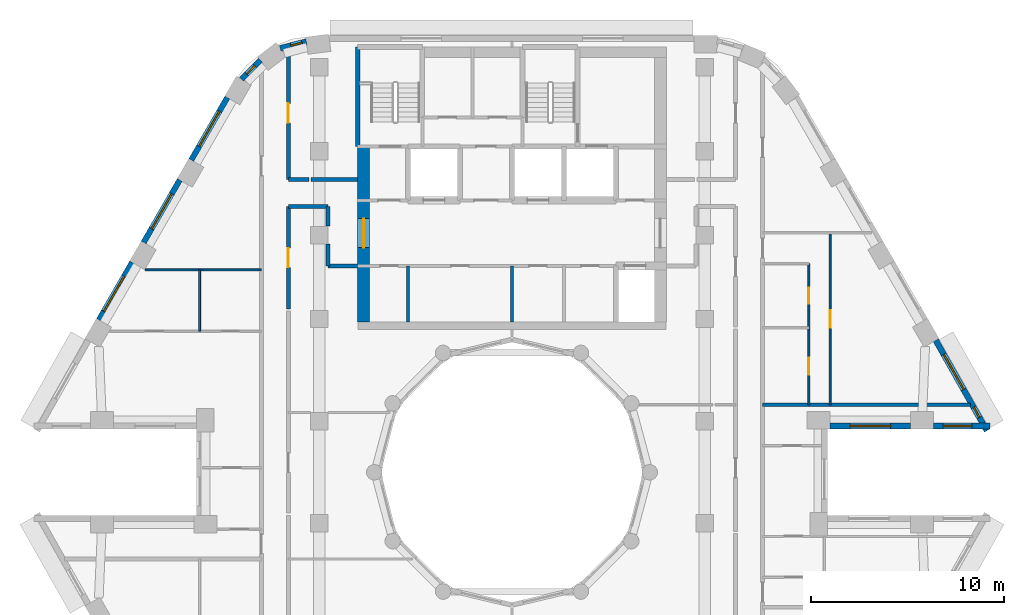
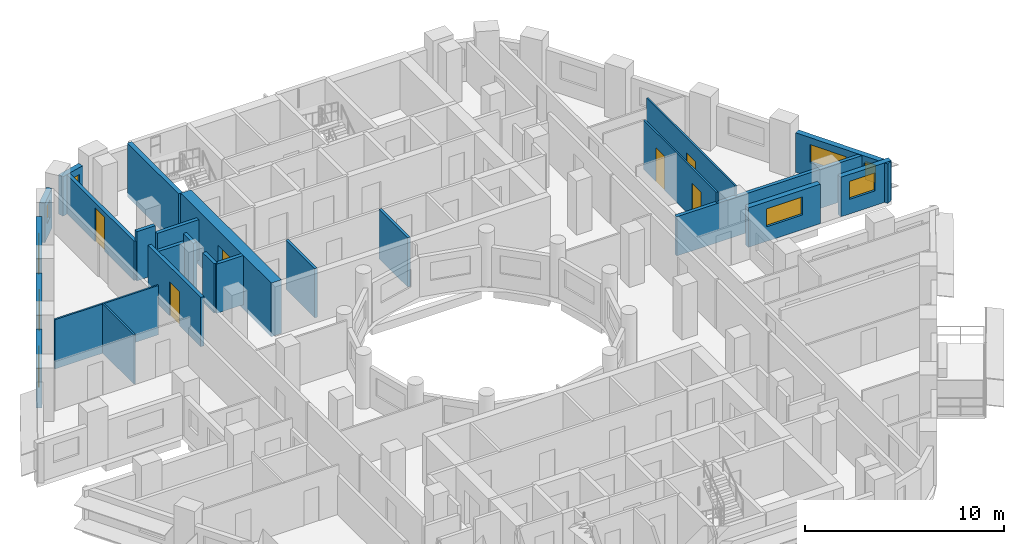
# One storey, part 7 of 16: 25 walls, 9 windows, 6 doors, 15 openings.
"""IFC4 building model written with IfcOpenShell, lengths in metres."""

import ifcopenshell
import ifcopenshell.guid

model = None  # the IFC model being written
_history = None  # IfcOwnerHistory: only IFC2X3 demands one
_inside = {}  # id of a spatial element -> (the spatial element, [elements in it])
_under = {}  # id of a project, library or spatial element -> (it, [spatial elements below it])
_declared = {}  # id of a project -> (the project, [libraries it declares])
_typed = {}  # id of a type object -> (the type object, [elements of that type])
_made_of = {}  # id of a material, layer set ... -> (it, [elements and type objects made of it])


def new_model(schema):
    """Start an empty IFC model of exactly this schema.

    Asked for "IFC4X3", IfcOpenShell would pick the latest addendum, in which some entities
    have other attributes; the version numbers below select the first issue.
    IFC2X3 requires an IfcOwnerHistory on every rooted entity: one is made here for all.
    """
    global model, _history
    if schema == "IFC4X3":
        model = ifcopenshell.file(schema_version=(4, 3, 0, 0))
    else:
        model = ifcopenshell.file(schema=schema)
    _inside.clear()
    _under.clear()
    _declared.clear()
    _typed.clear()
    _made_of.clear()
    _history = None
    if model.schema == "IFC2X3":
        org = make("IfcOrganization", Name="unknown")
        user = make(
            "IfcPersonAndOrganization",
            ThePerson=make("IfcPerson", FamilyName="unknown"),
            TheOrganization=org,
        )
        app = make(
            "IfcApplication",
            ApplicationDeveloper=org,
            Version="unknown",
            ApplicationFullName="unknown",
            ApplicationIdentifier="unknown",
        )
        _history = make(
            "IfcOwnerHistory",
            OwningUser=user,
            OwningApplication=app,
            ChangeAction="ADDED",
            CreationDate=0,
        )
    return model


def make(cls, **values):
    """One entity of the class cls with the attributes given. An attribute that is None is left unset."""
    return model.create_entity(
        cls, **{name: value for name, value in values.items() if value is not None}
    )


def rooted(cls, **values):
    """An entity with a GlobalId (a new one), such as an element, a storey or a relation."""
    return make(cls, GlobalId=ifcopenshell.guid.new(), OwnerHistory=_history, **values)


def si_unit(unit_type, name, prefix=None):
    """IfcSIUnit, for example si_unit("LENGTHUNIT", "METRE", prefix="MILLI")."""
    return make("IfcSIUnit", UnitType=unit_type, Prefix=prefix, Name=name)


def assignment(units):
    """IfcUnitAssignment: the units of a project."""
    return None if units is None else make("IfcUnitAssignment", Units=units)


def point(xyz):
    """IfcCartesianPoint."""
    return None if xyz is None else make("IfcCartesianPoint", Coordinates=xyz)


def direction(xyz):
    """IfcDirection."""
    return None if xyz is None else make("IfcDirection", DirectionRatios=xyz)


def frame(location, z_axis=None, x_axis=None):
    """IfcAxis2Placement3D, a coordinate frame: its origin and axes. An axis left out is left unset."""
    return make(
        "IfcAxis2Placement3D",
        Location=point(location),
        Axis=direction(z_axis),
        RefDirection=direction(x_axis),
    )


def frame_2d(location, x_axis=None):
    """IfcAxis2Placement2D, a coordinate frame in the plane: its origin and x axis."""
    return make(
        "IfcAxis2Placement2D", Location=point(location), RefDirection=direction(x_axis)
    )


def origin():
    """The frame at (0, 0, 0) with its axes left unset."""
    return frame((0.0, 0.0, 0.0))


def place(relative_to, where):
    """IfcLocalPlacement: puts the frame where relative to a parent placement (None: the world)."""
    return make(
        "IfcLocalPlacement", PlacementRelTo=relative_to, RelativePlacement=where
    )


def context(
    kind, dimensions, precision=None, world=None, true_north=None, identifier=None
):
    """IfcGeometricRepresentationContext, for example the 3D "Model" context."""
    return make(
        "IfcGeometricRepresentationContext",
        ContextIdentifier=identifier,
        ContextType=kind,
        CoordinateSpaceDimension=dimensions,
        Precision=precision,
        WorldCoordinateSystem=world,
        TrueNorth=true_north,
    )


def subcontext(parent, identifier, kind, view, scale=None):
    """IfcGeometricRepresentationSubContext, for example "Body" below "Model"."""
    return make(
        "IfcGeometricRepresentationSubContext",
        ContextIdentifier=identifier,
        ContextType=kind,
        ParentContext=parent,
        TargetScale=scale,
        TargetView=view,
    )


def project(units=None, contexts=None):
    """IfcProject with its units and contexts."""
    return rooted(
        "IfcProject",
        Name="project",
        RepresentationContexts=contexts,
        UnitsInContext=assignment(units),
    )


def spatial(cls, under=None, at=None, **own):
    """A site, building, storey or space (cls), placed at a placement, below another one or the project."""
    s = rooted(cls, ObjectPlacement=at, **own)
    if under is not None:
        _under.setdefault(under.id(), (under, []))[1].append(s)
    return s


def profile(cls, at=None, kind="AREA", **sizes):
    """A parametric profile (cls). Its sizes go by their IFC names, for example OverallWidth=200.0."""
    return make(cls, ProfileType=kind, Position=at, **sizes)


def rectangle(**sizes):
    """IfcRectangleProfileDef."""
    return profile("IfcRectangleProfileDef", **sizes)


def extrude(swept, where, along, depth):
    """IfcExtrudedAreaSolid: the profile swept, set in the frame where, extruded along a direction by depth."""
    return make(
        "IfcExtrudedAreaSolid",
        SweptArea=swept,
        Position=where,
        ExtrudedDirection=direction(along),
        Depth=depth,
    )


def shape(context_of_items, identifier, shape_type, items):
    """IfcShapeRepresentation: the items that make up one representation, for example the "Body"."""
    return make(
        "IfcShapeRepresentation",
        ContextOfItems=context_of_items,
        RepresentationIdentifier=identifier,
        RepresentationType=shape_type,
        Items=items,
    )


def material(Name=None, Category=None):
    """IfcMaterial."""
    return make("IfcMaterial", Name=Name, Category=Category)


def layer(
    of_material, thickness, ventilated=None, Name=None, Category=None, Priority=None
):
    """IfcMaterialLayer: one layer of a wall or slab, of a material (None: an air gap)."""
    return make(
        "IfcMaterialLayer",
        Material=of_material,
        LayerThickness=thickness,
        IsVentilated=ventilated,
        Name=Name,
        Category=Category,
        Priority=Priority,
    )


def layer_set(layers, Name=None):
    """IfcMaterialLayerSet."""
    return make("IfcMaterialLayerSet", MaterialLayers=layers, LayerSetName=Name)


def made_of(thing, what):
    """Note that an element or type object is made of a material, layer set ...; save() writes the relation."""
    if what is not None:
        _made_of.setdefault(what.id(), (what, []))[1].append(thing)
    return thing


def type_object(cls, material=None, **own):
    """A type object (cls), such as IfcWallType, which elements share."""
    return made_of(rooted(cls, **own), material)


def element(
    cls,
    number,
    at=None,
    inside=None,
    cuts=None,
    type_object=None,
    material=None,
    context=None,
    identifier="Body",
    shape_type=None,
    held_by="IfcProductDefinitionShape",
    body=None,
    shapes=None,
    **own,
):
    """One element of the class cls, such as IfcWall. Its Tag is "e" and its number.

    at: its placement. inside: the storey or other place that contains it. cuts: it is an
    opening in that element (IfcRelVoidsElement). A single representation is given by context,
    identifier, shape_type and body (its items); several are given by shapes. held_by: the class
    of the entity that holds the representations. save() writes the other relations.
    """
    e = rooted(cls, Tag="e%d" % number, ObjectPlacement=at, **own)
    if body is not None:
        shapes = [shape(context, identifier, shape_type, body)]
    if shapes is not None:
        e.Representation = make(held_by, Representations=shapes)
    if inside is not None:
        _inside.setdefault(inside.id(), (inside, []))[1].append(e)
    if cuts is not None:
        rooted(
            "IfcRelVoidsElement", RelatingBuildingElement=cuts, RelatedOpeningElement=e
        )
    if type_object is not None:
        _typed.setdefault(type_object.id(), (type_object, []))[1].append(e)
    return made_of(e, material)


def fill(opening, filler):
    """IfcRelFillsElement: the door or window that sits in an opening."""
    return rooted(
        "IfcRelFillsElement",
        RelatingOpeningElement=opening,
        RelatedBuildingElement=filler,
    )


def aggregate(whole, parts):
    """IfcRelAggregates: a whole, such as a stair, and the parts it consists of."""
    return rooted("IfcRelAggregates", RelatingObject=whole, RelatedObjects=parts)


def save(model, path):
    """Write the relations noted so far, then the file.

    IfcRelAggregates (storeys below a building ...), IfcRelContainedInSpatialStructure (elements
    in a storey), IfcRelDefinesByType, IfcRelAssociatesMaterial and IfcRelDeclares: one each for
    every whole, place, type object, material and project.
    """
    for whole, parts in _under.values():
        aggregate(whole, parts)
    for where, things in _inside.values():
        rooted(
            "IfcRelContainedInSpatialStructure",
            RelatedElements=things,
            RelatingStructure=where,
        )
    for kind, things in _typed.values():
        rooted("IfcRelDefinesByType", RelatedObjects=things, RelatingType=kind)
    for what, things in _made_of.values():
        rooted("IfcRelAssociatesMaterial", RelatedObjects=things, RelatingMaterial=what)
    for by, libraries in _declared.values():
        rooted("IfcRelDeclares", RelatingContext=by, RelatedDefinitions=libraries)
    model.write(path)


model = new_model("IFC4")

# Units and contexts
model_context = context("Model", 3, precision=1e-05, world=origin(), true_north=direction((0.0, 1.0)))
body_context = subcontext(model_context, "Body", "Model", "MODEL_VIEW")
ifc_project = project(units=[si_unit("LENGTHUNIT", "METRE"), si_unit("AREAUNIT", "SQUARE_METRE"), si_unit("VOLUMEUNIT", "CUBIC_METRE"), si_unit("PLANEANGLEUNIT", "RADIAN"), si_unit("MASSUNIT", "GRAM", prefix="KILO")], contexts=[model_context])

# Site, building, storey
site_placement = place(None, origin())
site = spatial("IfcSite", under=ifc_project, at=site_placement, CompositionType="ELEMENT")
building_placement = place(site_placement, origin())
building = spatial("IfcBuilding", under=site, at=building_placement, Name="Nakaniwa Court", CompositionType="ELEMENT")
storey_placement = place(building_placement, frame((0.0, 0.0, 196.5)))
storey = spatial("IfcBuildingStorey", under=building, at=storey_placement, Name="L51", CompositionType="ELEMENT", Elevation=196.5)

# Walls
ifc_material_1 = material(Name="Acoustic double stud partition")
ifc_layer_1 = layer(ifc_material_1, 0.199951171875)
ifc_layer_set_1 = layer_set([ifc_layer_1], Name="Acoustic double stud partition")
wall_type_1 = type_object("IfcWallType", Name="Acoustic double stud partition 200", PredefinedType="PARTITIONING", material=ifc_layer_set_1)
wall_1_placement = place(storey_placement, frame((68.39990234375, 93.77490234375, 0.0), z_axis=(0.0, 0.0, 1.0), x_axis=(1.0, 0.0, 0.0)))
element("IfcWall", 1, at=wall_1_placement, inside=storey, type_object=wall_type_1, Name="Partition PW-088", PredefinedType="PARTITIONING", context=body_context, shape_type="SweptSolid", body=[
    extrude(rectangle(XDim=2.050048828125, YDim=0.199951171875, at=frame_2d((1.02490234375, 0.0))), origin(), (0.0, 0.0, 1.0), 2.5048828125),
])
wall_2_placement = place(storey_placement, frame((70.449951171875, 90.699951171875, 0.0), z_axis=(0.0, 0.0, 1.0), x_axis=(1.0, 0.0, 0.0)))
element("IfcWall", 2, at=wall_2_placement, inside=storey, type_object=wall_type_1, Name="Partition PW-090", PredefinedType="PARTITIONING", context=body_context, shape_type="SweptSolid", body=[
    extrude(rectangle(XDim=1.550048828125, YDim=0.199951171875, at=frame_2d((0.77490234375, 0.0))), origin(), (0.0, 0.0, 1.0), 3.02490234375),
])
wall_3_placement = place(storey_placement, frame((68.39990234375, 95.175048828125, 0.0), z_axis=(0.0, 0.0, 1.0), x_axis=(1.0, 0.0, 0.0)))
element("IfcWall", 3, at=wall_3_placement, inside=storey, type_object=wall_type_1, Name="Partition PW-092", PredefinedType="PARTITIONING", context=body_context, shape_type="SweptSolid", body=[
    extrude(rectangle(XDim=1.072998046875, YDim=0.199951171875, at=frame_2d((0.53662109375, 0.0))), origin(), (0.0, 0.0, 1.0), 3.02490234375),
])
wall_4_placement = place(storey_placement, frame((69.587158203125, 95.175048828125, 0.0), z_axis=(0.0, 0.0, 1.0), x_axis=(1.0, 0.0, 0.0)))
element("IfcWall", 4, at=wall_4_placement, inside=storey, type_object=wall_type_1, Name="Partition PW-093", PredefinedType="PARTITIONING", context=body_context, shape_type="SweptSolid", body=[
    extrude(rectangle(XDim=2.412841796875, YDim=0.199951171875, at=frame_2d((1.20654296875, 0.0))), origin(), (0.0, 0.0, 1.0), 2.5048828125),
])

# Wall, opening, door
wall_5_placement = place(storey_placement, frame((68.39990234375, 93.77490234375, 0.0), z_axis=(0.0, 0.0, 1.0), x_axis=(0.0, -1.0, 0.0)))
wall_5 = element("IfcWall", 5, at=wall_5_placement, inside=storey, type_object=wall_type_1, Name="Partition PW-100", PredefinedType="PARTITIONING", context=body_context, shape_type="SweptSolid", body=[
    extrude(rectangle(XDim=5.297607421875, YDim=0.199951171875, at=frame_2d((2.64892578125, 0.0))), origin(), (0.0, 0.0, 1.0), 3.02490234375),
])
opening_1_placement = place(wall_5_placement, frame((2.14794921875, 0.0, 0.0)))
opening_1 = element("IfcOpeningElement", 6, at=opening_1_placement, cuts=wall_5, Name="Opening D-02-07", PredefinedType="OPENING", context=body_context, shape_type="SweptSolid", body=[
    extrude(rectangle(XDim=1.0, YDim=2.10009765625, at=frame_2d((0.5, 1.050048828125))), frame((0.0, 0.10986328125, 0.0), z_axis=(0.0, -1.0, 0.0), x_axis=(1.0, 0.0, 0.0)), (0.0, 0.0, 1.0), 0.219970703125),
])
ifc_material_2 = material(Name="Solid core timber door set, black veneer", Category="wood")
door_type_1 = type_object("IfcDoorType", Name="Internal door 1000", OperationType="NOTDEFINED", PredefinedType="DOOR", material=ifc_material_2)
door_1_placement = place(opening_1_placement, origin())
door_1 = element("IfcDoor", 7, at=door_1_placement, inside=storey, type_object=door_type_1, Name="Door D-02-07 L51-054", OperationType="SINGLE_SWING_LEFT", OverallHeight=2.10009765625, OverallWidth=1.0, PredefinedType="DOOR", context=body_context, shape_type="SweptSolid", body=[
    extrude(rectangle(XDim=1.0, YDim=2.10009765625, at=frame_2d((0.5, 1.050048828125))), frame((0.0, 0.02490234375, 0.0), z_axis=(0.0, -1.0, 0.0), x_axis=(1.0, 0.0, 0.0)), (0.0, 0.0, 1.0), 0.050048828125),
])
fill(opening_1, door_1)

wall_6_placement = place(storey_placement, frame((68.39990234375, 102.07373046875, 0.0), z_axis=(0.0, 0.0, 1.0), x_axis=(0.0, -1.0, 0.0)))
wall_6 = element("IfcWall", 8, at=wall_6_placement, inside=storey, type_object=wall_type_1, Name="Partition PW-101", PredefinedType="PARTITIONING", context=body_context, shape_type="SweptSolid", body=[
    extrude(rectangle(XDim=6.898681640625, YDim=0.199951171875, at=frame_2d((3.44921875, 0.0))), origin(), (0.0, 0.0, 1.0), 2.405029296875),
])
opening_2_placement = place(wall_6_placement, frame((2.948974609375, 0.0, 0.0)))
opening_2 = element("IfcOpeningElement", 9, at=opening_2_placement, cuts=wall_6, Name="Opening D-02-11", PredefinedType="OPENING", context=body_context, shape_type="SweptSolid", body=[
    extrude(rectangle(XDim=1.0, YDim=2.10009765625, at=frame_2d((0.5, 1.050048828125))), frame((0.0, 0.10986328125, 0.0), z_axis=(0.0, -1.0, 0.0), x_axis=(1.0, 0.0, 0.0)), (0.0, 0.0, 1.0), 0.219970703125),
])
door_2_placement = place(opening_2_placement, origin())
door_2 = element("IfcDoor", 10, at=door_2_placement, inside=storey, type_object=door_type_1, Name="Door D-02-11 L51-058", OperationType="SINGLE_SWING_LEFT", OverallHeight=2.10009765625, OverallWidth=1.0, PredefinedType="DOOR", context=body_context, shape_type="SweptSolid", body=[
    extrude(rectangle(XDim=1.0, YDim=2.10009765625, at=frame_2d((0.5, 1.050048828125))), frame((0.0, 0.02490234375, 0.0), z_axis=(0.0, -1.0, 0.0), x_axis=(1.0, 0.0, 0.0)), (0.0, 0.0, 1.0), 0.050048828125),
])
fill(opening_2, door_2)

# Walls
wall_7_placement = place(storey_placement, frame((70.449951171875, 90.699951171875, 0.0), z_axis=(0.0, 0.0, 1.0), x_axis=(0.0, 1.0, 0.0)))
element("IfcWall", 11, at=wall_7_placement, inside=storey, type_object=wall_type_1, Name="Partition PW-105", PredefinedType="PARTITIONING", context=body_context, shape_type="SweptSolid", body=[
    extrude(rectangle(XDim=1.1328125, YDim=0.199951171875, at=frame_2d((0.56640625, 0.0))), origin(), (0.0, 0.0, 1.0), 3.02490234375),
])
wall_8_placement = place(storey_placement, frame((70.449951171875, 92.76708984375, 0.0), z_axis=(0.0, 0.0, 1.0), x_axis=(0.0, 1.0, 0.0)))
element("IfcWall", 12, at=wall_8_placement, inside=storey, type_object=wall_type_1, Name="Partition PW-106", PredefinedType="PARTITIONING", context=body_context, shape_type="SweptSolid", body=[
    extrude(rectangle(XDim=1.0078125, YDim=0.199951171875, at=frame_2d((0.50390625, 0.0))), origin(), (0.0, 0.0, 1.0), 3.02490234375),
])
wall_9_placement = place(storey_placement, frame((93.0009765625, 83.5, 0.0), z_axis=(0.0, 0.0, 1.0), x_axis=(1.0, 0.0, 0.0)))
element("IfcWall", 13, at=wall_9_placement, inside=storey, type_object=wall_type_1, Name="Partition PW-122", PredefinedType="PARTITIONING", context=body_context, shape_type="SweptSolid", body=[
    extrude(rectangle(XDim=10.785888671875, YDim=0.199951171875, at=frame_2d((5.39306640625, 0.0))), origin(), (0.0, 0.0, 1.0), 2.405029296875),
])

# Wall, opening, window
ifc_material_3 = material(Name="Charcoal ceramic cladding")
ifc_layer_2 = layer(ifc_material_3, 0.02, Name="Ceramic cladding")
ifc_material_4 = material(Name="Ventilated air cavity")
ifc_layer_3 = layer(ifc_material_4, 0.04, ventilated=True, Name="Ventilated cavity")
ifc_material_5 = material(Name="Mineral wool insulation")
ifc_layer_4 = layer(ifc_material_5, 0.1, Name="Insulation")
ifc_material_6 = material(Name="Cement bonded sheathing board")
ifc_layer_5 = layer(ifc_material_6, 0.012, Name="Sheathing")
ifc_material_7 = material(Name="Cold-formed galvanised stud frame with mineral wool infill")
ifc_layer_6 = layer(ifc_material_7, 0.1, Name="Stud frame")
ifc_material_8 = material(Name="Fire-rated gypsum plasterboard lining")
ifc_layer_7 = layer(ifc_material_8, 0.028, Name="Lining")
ifc_layer_set_2 = layer_set([ifc_layer_2, ifc_layer_3, ifc_layer_4, ifc_layer_5, ifc_layer_6, ifc_layer_7], Name="Charcoal ceramic faced external wall system")
wall_type_2 = type_object("IfcWallType", Name="Black ceramic faced external wall 300", PredefinedType="SOLIDWALL", material=ifc_layer_set_2)
wall_10_placement = place(storey_placement, frame((96.49560546875, 82.39990234375, 0.0), z_axis=(0.0, 0.0, 1.0), x_axis=(1.0, 0.0, 0.0)))
wall_10 = element("IfcWall", 14, at=wall_10_placement, inside=storey, type_object=wall_type_2, Name="L51 external wall 00", PredefinedType="SOLIDWALL", context=body_context, shape_type="SweptSolid", body=[
    extrude(rectangle(XDim=4.17236328125, YDim=0.300048828125, at=frame_2d((2.086181640625, 0.0))), origin(), (0.0, 0.0, 1.0), 2.425048828125),
])
opening_3_placement = place(wall_10_placement, frame((1.036376953125, 0.0, 0.89990234375)))
opening_3 = element("IfcOpeningElement", 15, at=opening_3_placement, cuts=wall_10, Name="Opening W7.01", PredefinedType="OPENING", context=body_context, shape_type="SweptSolid", body=[
    extrude(rectangle(XDim=2.10009765625, YDim=1.10009765625, at=frame_2d((1.050048828125, 0.550048828125))), frame((0.0, 0.159912109375, 0.0), z_axis=(0.0, -1.0, 0.0), x_axis=(1.0, 0.0, 0.0)), (0.0, 0.0, 1.0), 0.320068359375),
])
ifc_material_9 = material(Name="Black anodised aluminium frame with dark low-E laminated double glazing", Category="aluminium")
window_type_1 = type_object("IfcWindowType", Name="Dark glass window 2100x1100 sill 900", PartitioningType="SINGLE_PANEL", PredefinedType="WINDOW", material=ifc_material_9)
window_1_placement = place(opening_3_placement, origin())
window_1 = element("IfcWindow", 16, at=window_1_placement, inside=storey, type_object=window_type_1, Name="L51 habitable room window 00-0", OverallHeight=1.10009765625, OverallWidth=2.10009765625, PartitioningType="SINGLE_PANEL", PredefinedType="WINDOW", context=body_context, shape_type="SweptSolid", body=[
    extrude(rectangle(XDim=2.10009765625, YDim=1.10009765625, at=frame_2d((1.050048828125, 0.550048828125))), frame((0.0, 0.030029296875, 0.0), z_axis=(0.0, -1.0, 0.0), x_axis=(1.0, 0.0, 0.0)), (0.0, 0.0, 1.0), 0.06005859375),
])
fill(opening_3, window_1)

wall_11_placement = place(storey_placement, frame((101.860107421875, 82.39990234375, 0.0), z_axis=(0.0, 0.0, 1.0), x_axis=(1.0, 0.0, 0.0)))
wall_11 = element("IfcWall", 17, at=wall_11_placement, inside=storey, type_object=wall_type_2, Name="L51 external wall 01", PredefinedType="SOLIDWALL", context=body_context, shape_type="SweptSolid", body=[
    extrude(rectangle(XDim=2.937744140625, YDim=0.300048828125, at=frame_2d((1.46875, 0.0))), origin(), (0.0, 0.0, 1.0), 2.425048828125),
])
opening_4_placement = place(wall_11_placement, frame((0.493896484375, 0.0, 0.89990234375)))
opening_4 = element("IfcOpeningElement", 18, at=opening_4_placement, cuts=wall_11, Name="Opening W5.02", PredefinedType="OPENING", context=body_context, shape_type="SweptSolid", body=[
    extrude(rectangle(XDim=1.5, YDim=1.10009765625, at=frame_2d((0.75, 0.550048828125))), frame((0.0, 0.159912109375, 0.0), z_axis=(0.0, -1.0, 0.0), x_axis=(1.0, 0.0, 0.0)), (0.0, 0.0, 1.0), 0.320068359375),
])
window_type_2 = type_object("IfcWindowType", Name="Dark glass window 1500x1100 sill 900", PartitioningType="SINGLE_PANEL", PredefinedType="WINDOW", material=ifc_material_9)
window_2_placement = place(opening_4_placement, origin())
window_2 = element("IfcWindow", 19, at=window_2_placement, inside=storey, type_object=window_type_2, Name="L51 habitable room window 01-0", OverallHeight=1.10009765625, OverallWidth=1.5, PartitioningType="SINGLE_PANEL", PredefinedType="WINDOW", context=body_context, shape_type="SweptSolid", body=[
    extrude(rectangle(XDim=1.5, YDim=1.10009765625, at=frame_2d((0.75, 0.550048828125))), frame((0.0, 0.030029296875, 0.0), z_axis=(0.0, -1.0, 0.0), x_axis=(1.0, 0.0, 0.0)), (0.0, 0.0, 1.0), 0.06005859375),
])
fill(opening_4, window_2)

# Wall, openings, windows
wall_12_placement = place(storey_placement, frame((104.627197265625, 82.153564453125, 0.0), z_axis=(0.0, 0.0, 1.0), x_axis=(-0.492033360928, 0.870576344575, 0.0)))
wall_12 = element("IfcWall", 20, at=wall_12_placement, inside=storey, type_object=wall_type_2, Name="L51 external wall 02", PredefinedType="SOLIDWALL", context=body_context, shape_type="SweptSolid", body=[
    extrude(rectangle(XDim=5.38671875, YDim=0.300048828125, at=frame_2d((2.693359375, 0.0))), origin(), (0.0, 0.0, 1.0), 2.425048828125),
])
opening_5_placement = place(wall_12_placement, frame((0.797119140625, 0.0, 0.89990234375)))
opening_5 = element("IfcOpeningElement", 21, at=opening_5_placement, cuts=wall_12, Name="Opening W8.03", PredefinedType="OPENING", context=body_context, shape_type="SweptSolid", body=[
    extrude(rectangle(XDim=0.60009765625, YDim=1.10009765625, at=frame_2d((0.300048828125, 0.550048828125))), frame((0.0, 0.159912109375, 0.0), z_axis=(0.0, -1.0, 0.0), x_axis=(1.0, 0.0, 0.0)), (0.0, 0.0, 1.0), 0.320068359375),
])
opening_6_placement = place(wall_12_placement, frame((2.451904296875, 0.0, 0.89990234375)))
opening_6 = element("IfcOpeningElement", 22, at=opening_6_placement, cuts=wall_12, Name="Opening W7.04", PredefinedType="OPENING", context=body_context, shape_type="SweptSolid", body=[
    extrude(rectangle(XDim=2.10009765625, YDim=1.10009765625, at=frame_2d((1.050048828125, 0.550048828125))), frame((0.0, 0.159912109375, 0.0), z_axis=(0.0, -1.0, 0.0), x_axis=(1.0, 0.0, 0.0)), (0.0, 0.0, 1.0), 0.320068359375),
])
window_3_placement = place(opening_6_placement, origin())
window_3 = element("IfcWindow", 23, at=window_3_placement, inside=storey, type_object=window_type_1, Name="L51 living window 02-1", OverallHeight=1.10009765625, OverallWidth=2.10009765625, PartitioningType="SINGLE_PANEL", PredefinedType="WINDOW", context=body_context, shape_type="SweptSolid", body=[
    extrude(rectangle(XDim=2.10009765625, YDim=1.10009765625, at=frame_2d((1.050048828125, 0.550048828125))), frame((0.0, 0.030029296875, 0.0), z_axis=(0.0, -1.0, 0.0), x_axis=(1.0, 0.0, 0.0)), (0.0, 0.0, 1.0), 0.06005859375),
])
fill(opening_6, window_3)
window_type_3 = type_object("IfcWindowType", Name="Dark glass window 600x1100 sill 900", PartitioningType="SINGLE_PANEL", PredefinedType="WINDOW", material=ifc_material_9)
window_4_placement = place(opening_5_placement, origin())
window_4 = element("IfcWindow", 24, at=window_4_placement, inside=storey, type_object=window_type_3, Name="L51 habitable room window 02-0", OverallHeight=1.10009765625, OverallWidth=0.60009765625, PartitioningType="SINGLE_PANEL", PredefinedType="WINDOW", context=body_context, shape_type="SweptSolid", body=[
    extrude(rectangle(XDim=0.60009765625, YDim=1.10009765625, at=frame_2d((0.300048828125, 0.550048828125))), frame((0.0, 0.030029296875, 0.0), z_axis=(0.0, -1.0, 0.0), x_axis=(1.0, 0.0, 0.0)), (0.0, 0.0, 1.0), 0.06005859375),
])
fill(opening_5, window_4)

# Wall, opening, window
wall_13_placement = place(storey_placement, frame((69.3359375, 102.333251953125, 0.0), z_axis=(0.0, 0.0, 1.0), x_axis=(-0.969037396898, -0.246914000036, 0.0)))
wall_13 = element("IfcWall", 25, at=wall_13_placement, inside=storey, type_object=wall_type_2, Name="L51 external wall 09", PredefinedType="SOLIDWALL", context=body_context, shape_type="SweptSolid", body=[
    extrude(rectangle(XDim=1.403076171875, YDim=0.300048828125, at=frame_2d((0.70166015625, 0.0))), origin(), (0.0, 0.0, 1.0), 2.425048828125),
])
opening_7_placement = place(wall_13_placement, frame((0.22900390625, 0.0, 0.89990234375)))
opening_7 = element("IfcOpeningElement", 26, at=opening_7_placement, cuts=wall_13, Name="Opening W8.12", PredefinedType="OPENING", context=body_context, shape_type="SweptSolid", body=[
    extrude(rectangle(XDim=0.60009765625, YDim=1.10009765625, at=frame_2d((0.300048828125, 0.550048828125))), frame((0.0, 0.159912109375, 0.0), z_axis=(0.0, -1.0, 0.0), x_axis=(1.0, 0.0, 0.0)), (0.0, 0.0, 1.0), 0.320068359375),
])
window_5_placement = place(opening_7_placement, origin())
window_5 = element("IfcWindow", 27, at=window_5_placement, inside=storey, type_object=window_type_3, Name="L51 habitable room window 09-0", OverallHeight=1.10009765625, OverallWidth=0.60009765625, PartitioningType="SINGLE_PANEL", PredefinedType="WINDOW", context=body_context, shape_type="SweptSolid", body=[
    extrude(rectangle(XDim=0.60009765625, YDim=1.10009765625, at=frame_2d((0.300048828125, 0.550048828125))), frame((0.0, 0.030029296875, 0.0), z_axis=(0.0, -1.0, 0.0), x_axis=(1.0, 0.0, 0.0)), (0.0, 0.0, 1.0), 0.06005859375),
])
fill(opening_7, window_5)

wall_14_placement = place(storey_placement, frame((66.951904296875, 101.36328125, 0.0), z_axis=(0.0, 0.0, 1.0), x_axis=(-0.70869320446, -0.705516790695, 0.0)))
wall_14 = element("IfcWall", 28, at=wall_14_placement, inside=storey, type_object=wall_type_2, Name="L51 external wall 10", PredefinedType="SOLIDWALL", context=body_context, shape_type="SweptSolid", body=[
    extrude(rectangle(XDim=1.383544921875, YDim=0.300048828125, at=frame_2d((0.69189453125, 0.0))), origin(), (0.0, 0.0, 1.0), 2.425048828125),
])
opening_8_placement = place(wall_14_placement, frame((0.407958984375, 0.0, 0.89990234375)))
opening_8 = element("IfcOpeningElement", 29, at=opening_8_placement, cuts=wall_14, Name="Opening W8.13", PredefinedType="OPENING", context=body_context, shape_type="SweptSolid", body=[
    extrude(rectangle(XDim=0.60009765625, YDim=1.10009765625, at=frame_2d((0.300048828125, 0.550048828125))), frame((0.0, 0.159912109375, 0.0), z_axis=(0.0, -1.0, 0.0), x_axis=(1.0, 0.0, 0.0)), (0.0, 0.0, 1.0), 0.320068359375),
])
window_6_placement = place(opening_8_placement, origin())
window_6 = element("IfcWindow", 30, at=window_6_placement, inside=storey, type_object=window_type_3, Name="L51 habitable room window 10-1", OverallHeight=1.10009765625, OverallWidth=0.60009765625, PartitioningType="SINGLE_PANEL", PredefinedType="WINDOW", context=body_context, shape_type="SweptSolid", body=[
    extrude(rectangle(XDim=0.60009765625, YDim=1.10009765625, at=frame_2d((0.300048828125, 0.550048828125))), frame((0.0, 0.030029296875, 0.0), z_axis=(0.0, -1.0, 0.0), x_axis=(1.0, 0.0, 0.0)), (0.0, 0.0, 1.0), 0.06005859375),
])
fill(opening_8, window_6)

wall_15_placement = place(storey_placement, frame((65.239013671875, 99.433349609375, 0.0), z_axis=(0.0, 0.0, 1.0), x_axis=(-0.499982088007, -0.866035745032, 0.0)))
wall_15 = element("IfcWall", 31, at=wall_15_placement, inside=storey, type_object=wall_type_2, Name="L51 external wall 11", PredefinedType="SOLIDWALL", context=body_context, shape_type="SweptSolid", body=[
    extrude(rectangle(XDim=3.744384765625, YDim=0.300048828125, at=frame_2d((1.8720703125, 0.0))), origin(), (0.0, 0.0, 1.0), 2.425048828125),
])
opening_9_placement = place(wall_15_placement, frame((0.822021484375, 0.0, 0.89990234375)))
opening_9 = element("IfcOpeningElement", 32, at=opening_9_placement, cuts=wall_15, Name="Opening W7.14", PredefinedType="OPENING", context=body_context, shape_type="SweptSolid", body=[
    extrude(rectangle(XDim=2.10009765625, YDim=1.10009765625, at=frame_2d((1.050048828125, 0.550048828125))), frame((0.0, 0.159912109375, 0.0), z_axis=(0.0, -1.0, 0.0), x_axis=(1.0, 0.0, 0.0)), (0.0, 0.0, 1.0), 0.320068359375),
])
window_7_placement = place(opening_9_placement, origin())
window_7 = element("IfcWindow", 33, at=window_7_placement, inside=storey, type_object=window_type_1, Name="L51 habitable room window 11-0", OverallHeight=1.10009765625, OverallWidth=2.10009765625, PartitioningType="SINGLE_PANEL", PredefinedType="WINDOW", context=body_context, shape_type="SweptSolid", body=[
    extrude(rectangle(XDim=2.10009765625, YDim=1.10009765625, at=frame_2d((1.050048828125, 0.550048828125))), frame((0.0, 0.030029296875, 0.0), z_axis=(0.0, -1.0, 0.0), x_axis=(1.0, 0.0, 0.0)), (0.0, 0.0, 1.0), 0.06005859375),
])
fill(opening_9, window_7)

wall_16_placement = place(storey_placement, frame((62.77099609375, 95.158447265625, 0.0), z_axis=(0.0, 0.0, 1.0), x_axis=(-0.500059225181, -0.86599120741, 0.0)))
wall_16 = element("IfcWall", 34, at=wall_16_placement, inside=storey, type_object=wall_type_2, Name="L51 external wall 12", PredefinedType="SOLIDWALL", context=body_context, shape_type="SweptSolid", body=[
    extrude(rectangle(XDim=3.744140625, YDim=0.300048828125, at=frame_2d((1.8720703125, 0.0))), origin(), (0.0, 0.0, 1.0), 2.425048828125),
])
opening_10_placement = place(wall_16_placement, frame((0.822021484375, 0.0, 0.89990234375)))
opening_10 = element("IfcOpeningElement", 35, at=opening_10_placement, cuts=wall_16, Name="Opening W7.15", PredefinedType="OPENING", context=body_context, shape_type="SweptSolid", body=[
    extrude(rectangle(XDim=2.10009765625, YDim=1.10009765625, at=frame_2d((1.050048828125, 0.550048828125))), frame((0.0, 0.159912109375, 0.0), z_axis=(0.0, -1.0, 0.0), x_axis=(1.0, 0.0, 0.0)), (0.0, 0.0, 1.0), 0.320068359375),
])
window_8_placement = place(opening_10_placement, origin())
window_8 = element("IfcWindow", 36, at=window_8_placement, inside=storey, type_object=window_type_1, Name="L51 habitable room window 12-0", OverallHeight=1.10009765625, OverallWidth=2.10009765625, PartitioningType="SINGLE_PANEL", PredefinedType="WINDOW", context=body_context, shape_type="SweptSolid", body=[
    extrude(rectangle(XDim=2.10009765625, YDim=1.10009765625, at=frame_2d((1.050048828125, 0.550048828125))), frame((0.0, 0.030029296875, 0.0), z_axis=(0.0, -1.0, 0.0), x_axis=(1.0, 0.0, 0.0)), (0.0, 0.0, 1.0), 0.06005859375),
])
fill(opening_10, window_8)

wall_17_placement = place(storey_placement, frame((60.302734375, 90.883544921875, 0.0), z_axis=(0.0, 0.0, 1.0), x_axis=(-0.499955427682, -0.866051136095, 0.0)))
wall_17 = element("IfcWall", 37, at=wall_17_placement, inside=storey, type_object=wall_type_2, Name="L51 external wall 13", PredefinedType="SOLIDWALL", context=body_context, shape_type="SweptSolid", body=[
    extrude(rectangle(XDim=3.447021484375, YDim=0.300048828125, at=frame_2d((1.7236328125, 0.0))), origin(), (0.0, 0.0, 1.0), 2.425048828125),
])
opening_11_placement = place(wall_17_placement, frame((0.833984375, 0.0, 0.89990234375)))
opening_11 = element("IfcOpeningElement", 38, at=opening_11_placement, cuts=wall_17, Name="Opening W7.16", PredefinedType="OPENING", context=body_context, shape_type="SweptSolid", body=[
    extrude(rectangle(XDim=2.10009765625, YDim=1.10009765625, at=frame_2d((1.050048828125, 0.550048828125))), frame((0.0, 0.159912109375, 0.0), z_axis=(0.0, -1.0, 0.0), x_axis=(1.0, 0.0, 0.0)), (0.0, 0.0, 1.0), 0.320068359375),
])
window_9_placement = place(opening_11_placement, origin())
window_9 = element("IfcWindow", 39, at=window_9_placement, inside=storey, type_object=window_type_1, Name="L51 habitable room window 13-0", OverallHeight=1.10009765625, OverallWidth=2.10009765625, PartitioningType="SINGLE_PANEL", PredefinedType="WINDOW", context=body_context, shape_type="SweptSolid", body=[
    extrude(rectangle(XDim=2.10009765625, YDim=1.10009765625, at=frame_2d((1.050048828125, 0.550048828125))), frame((0.0, 0.030029296875, 0.0), z_axis=(0.0, -1.0, 0.0), x_axis=(1.0, 0.0, 0.0)), (0.0, 0.0, 1.0), 0.06005859375),
])
fill(opening_11, window_9)

# Walls
ifc_material_10 = material(Name="Blockwork partition", Category="masonry")
ifc_layer_8 = layer(ifc_material_10, 0.14990234375)
ifc_layer_set_3 = layer_set([ifc_layer_8], Name="Blockwork partition")
wall_type_3 = type_object("IfcWallType", Name="Blockwork partition 150", PredefinedType="PARTITIONING", material=ifc_layer_set_3)
for number, where, z_axis, x_axis, name in (
    (40, (74.60009765625, 87.800048828125, 0.0), (0.0, 0.0, 1.0), (0.0, 1.0, 0.0), "Partition PW-001"),
    (41, (80.0, 87.800048828125, 0.0), (0.0, 0.0, 1.0), (0.0, 1.0, 0.0), "Partition PW-008"),
):
    element("IfcWall", number, at=place(storey_placement, frame(where, z_axis=z_axis, x_axis=x_axis)), inside=storey, type_object=wall_type_3, Name=name, PredefinedType="PARTITIONING", context=body_context, shape_type="SweptSolid", body=[
        extrude(rectangle(XDim=2.89990234375, YDim=0.14990234375, at=frame_2d((1.449951171875, 0.0))), origin(), (0.0, 0.0, 1.0), 3.02490234375),
    ])

# Wall, opening, door
ifc_material_11 = material(Name="Concrete C80/100", Category="concrete")
ifc_layer_9 = layer(ifc_material_11, 0.60009765625)
ifc_layer_set_4 = layer_set([ifc_layer_9], Name="Concrete C80/100")
wall_type_4 = type_object("IfcWallType", Name="Concrete core side wall 600 C80", PredefinedType="SHEAR", material=ifc_layer_set_4)
wall_18_placement = place(storey_placement, frame((72.300048828125, 87.800048828125, -0.27490234375), z_axis=(0.0, 0.0, 1.0), x_axis=(0.0, 1.0, 0.0)))
wall_18 = element("IfcWall", 42, at=wall_18_placement, inside=storey, type_object=wall_type_4, Name="Core wall SW-03", PredefinedType="SHEAR", context=body_context, shape_type="SweptSolid", body=[
    extrude(rectangle(XDim=9.099853515625, YDim=0.60009765625, at=frame_2d((4.5498046875, 0.0))), origin(), (0.0, 0.0, 1.0), 3.2998046875),
])
opening_12_placement = place(wall_18_placement, frame((3.85205078125, 0.0, 0.27490234375)))
opening_12 = element("IfcOpeningElement", 43, at=opening_12_placement, cuts=wall_18, Name="Opening D-07-02", PredefinedType="OPENING", context=body_context, shape_type="SweptSolid", body=[
    extrude(rectangle(XDim=1.5, YDim=2.10009765625, at=frame_2d((0.75, 1.050048828125))), frame((0.0, 0.31005859375, 0.0), z_axis=(0.0, -1.0, 0.0), x_axis=(1.0, 0.0, 0.0)), (0.0, 0.0, 1.0), 0.6201171875),
])
ifc_material_12 = material(Name="Glazed fire rated steel double door set", Category="steel")
door_type_2 = type_object("IfcDoorType", Name="Lobby double door 1500", OperationType="NOTDEFINED", PredefinedType="DOOR", material=ifc_material_12)
door_3_placement = place(opening_12_placement, origin())
door_3 = element("IfcDoor", 44, at=door_3_placement, inside=storey, type_object=door_type_2, Name="Door D-07-02 L51-060", OperationType="DOUBLE_DOOR_SINGLE_SWING", OverallHeight=2.10009765625, OverallWidth=1.5, PredefinedType="DOOR", context=body_context, shape_type="SweptSolid", body=[
    extrude(rectangle(XDim=1.5, YDim=2.10009765625, at=frame_2d((0.75, 1.050048828125))), frame((0.0, 0.02490234375, 0.0), z_axis=(0.0, -1.0, 0.0), x_axis=(1.0, 0.0, 0.0)), (0.0, 0.0, 1.0), 0.050048828125),
])
fill(opening_12, door_3)

# Wall
ifc_layer_10 = layer(ifc_material_11, 0.25)
ifc_layer_set_5 = layer_set([ifc_layer_10], Name="Concrete C80/100")
wall_type_5 = type_object("IfcWallType", Name="Concrete core wall 250 C80", PredefinedType="SHEAR", material=ifc_layer_set_5)
wall_19_placement = place(storey_placement, frame((72.0, 96.89990234375, -0.27490234375), z_axis=(0.0, 0.0, 1.0), x_axis=(0.0, 1.0, 0.0)))
element("IfcWall", 45, at=wall_19_placement, inside=storey, type_object=wall_type_5, Name="Core wall SW-27", PredefinedType="SHEAR", context=body_context, shape_type="SweptSolid", body=[
    extrude(rectangle(XDim=5.150146484375, YDim=0.25, at=frame_2d((2.5751953125, 0.0))), origin(), (0.0, 0.0, 1.0), 3.2998046875),
])

# Wall, openings, doors
ifc_material_13 = material(Name="Single stud plasterboard partition")
ifc_layer_11 = layer(ifc_material_13, 0.10009765625)
ifc_layer_set_6 = layer_set([ifc_layer_11], Name="Single stud plasterboard partition")
wall_type_6 = type_object("IfcWallType", Name="Single stud plasterboard partition 100", PredefinedType="PARTITIONING", material=ifc_layer_set_6)
wall_20_placement = place(storey_placement, frame((95.40087890625, 83.5, 0.0), z_axis=(0.0, 0.0, 1.0), x_axis=(0.0, 1.0, 0.0)))
wall_20 = element("IfcWall", 46, at=wall_20_placement, inside=storey, type_object=wall_type_6, Name="Partition PW-124", PredefinedType="PARTITIONING", context=body_context, shape_type="SweptSolid", body=[
    extrude(rectangle(XDim=7.3125, YDim=0.10009765625, at=frame_2d((3.65625, 0.0))), origin(), (0.0, 0.0, 1.0), 3.02490234375),
])
opening_13_placement = place(wall_20_placement, frame((1.5439453125, 0.0, 0.0)))
opening_13 = element("IfcOpeningElement", 47, at=opening_13_placement, cuts=wall_20, Name="Opening D-33-06", PredefinedType="OPENING", context=body_context, shape_type="SweptSolid", body=[
    extrude(rectangle(XDim=0.89990234375, YDim=2.10009765625, at=frame_2d((0.449951171875, 1.050048828125))), frame((0.0, 0.06005859375, 0.0), z_axis=(0.0, -1.0, 0.0), x_axis=(1.0, 0.0, 0.0)), (0.0, 0.0, 1.0), 0.1201171875),
])
opening_14_placement = place(wall_20_placement, frame((5.22607421875, 0.0, 0.0)))
opening_14 = element("IfcOpeningElement", 48, at=opening_14_placement, cuts=wall_20, Name="Opening D-03-03", PredefinedType="OPENING", context=body_context, shape_type="SweptSolid", body=[
    extrude(rectangle(XDim=0.85009765625, YDim=2.10009765625, at=frame_2d((0.425048828125, 1.050048828125))), frame((0.0, 0.06005859375, 0.0), z_axis=(0.0, -1.0, 0.0), x_axis=(1.0, 0.0, 0.0)), (0.0, 0.0, 1.0), 0.1201171875),
])
ifc_material_14 = material(Name="Moisture sealed timber door set", Category="wood")
door_type_3 = type_object("IfcDoorType", Name="Bathroom door 850", OperationType="NOTDEFINED", PredefinedType="DOOR", material=ifc_material_14)
door_4_placement = place(opening_14_placement, origin())
door_4 = element("IfcDoor", 49, at=door_4_placement, inside=storey, type_object=door_type_3, Name="Door D-03-03 L51-039", OperationType="SINGLE_SWING_RIGHT", OverallHeight=2.10009765625, OverallWidth=0.85009765625, PredefinedType="DOOR", context=body_context, shape_type="SweptSolid", body=[
    extrude(rectangle(XDim=0.85009765625, YDim=2.10009765625, at=frame_2d((0.425048828125, 1.050048828125))), frame((0.0, 0.02490234375, 0.0), z_axis=(0.0, -1.0, 0.0), x_axis=(1.0, 0.0, 0.0)), (0.0, 0.0, 1.0), 0.050048828125),
])
fill(opening_14, door_4)
door_type_4 = type_object("IfcDoorType", Name="Internal door 900", OperationType="NOTDEFINED", PredefinedType="DOOR", material=ifc_material_2)
door_5_placement = place(opening_13_placement, origin())
door_5 = element("IfcDoor", 50, at=door_5_placement, inside=storey, type_object=door_type_4, Name="Door D-33-06 L51-038", OperationType="SINGLE_SWING_LEFT", OverallHeight=2.10009765625, OverallWidth=0.89990234375, PredefinedType="DOOR", context=body_context, shape_type="SweptSolid", body=[
    extrude(rectangle(XDim=0.89990234375, YDim=2.10009765625, at=frame_2d((0.449951171875, 1.050048828125))), frame((0.0, 0.02490234375, 0.0), z_axis=(0.0, -1.0, 0.0), x_axis=(1.0, 0.0, 0.0)), (0.0, 0.0, 1.0), 0.050048828125),
])
fill(opening_13, door_5)

# Wall, opening, door
wall_21_placement = place(storey_placement, frame((96.5009765625, 92.41259765625, 0.0), z_axis=(0.0, 0.0, 1.0), x_axis=(0.0, -1.0, 0.0)))
wall_21 = element("IfcWall", 51, at=wall_21_placement, inside=storey, type_object=wall_type_6, Name="Partition PW-126", PredefinedType="PARTITIONING", context=body_context, shape_type="SweptSolid", body=[
    extrude(rectangle(XDim=8.91259765625, YDim=0.10009765625, at=frame_2d((4.456298828125, 0.0))), origin(), (0.0, 0.0, 1.0), 3.02490234375),
])
opening_15_placement = place(wall_21_placement, frame((4.006103515625, 0.0, 0.0)))
opening_15 = element("IfcOpeningElement", 52, at=opening_15_placement, cuts=wall_21, Name="Opening D-33-07", PredefinedType="OPENING", context=body_context, shape_type="SweptSolid", body=[
    extrude(rectangle(XDim=0.89990234375, YDim=2.10009765625, at=frame_2d((0.449951171875, 1.050048828125))), frame((0.0, 0.06005859375, 0.0), z_axis=(0.0, -1.0, 0.0), x_axis=(1.0, 0.0, 0.0)), (0.0, 0.0, 1.0), 0.1201171875),
])
door_6_placement = place(opening_15_placement, origin())
door_6 = element("IfcDoor", 53, at=door_6_placement, inside=storey, type_object=door_type_4, Name="Door D-33-07 L51-040", OperationType="SINGLE_SWING_LEFT", OverallHeight=2.10009765625, OverallWidth=0.89990234375, PredefinedType="DOOR", context=body_context, shape_type="SweptSolid", body=[
    extrude(rectangle(XDim=0.89990234375, YDim=2.10009765625, at=frame_2d((0.449951171875, 1.050048828125))), frame((0.0, 0.02490234375, 0.0), z_axis=(0.0, -1.0, 0.0), x_axis=(1.0, 0.0, 0.0)), (0.0, 0.0, 1.0), 0.050048828125),
])
fill(opening_15, door_6)

# Walls
wall_22_placement = place(storey_placement, frame((63.799072265625, 87.314453125, 0.0), z_axis=(0.0, 0.0, 1.0), x_axis=(0.0, 1.0, 0.0)))
element("IfcWall", 54, at=wall_22_placement, inside=storey, type_object=wall_type_6, Name="Partition PW-131", PredefinedType="PARTITIONING", context=body_context, shape_type="SweptSolid", body=[
    extrude(rectangle(XDim=3.185546875, YDim=0.10009765625, at=frame_2d((1.5927734375, 0.0))), origin(), (0.0, 0.0, 1.0), 3.02490234375),
])
wall_23_placement = place(storey_placement, frame((60.970703125, 90.5, 0.0), z_axis=(0.0, 0.0, 1.0), x_axis=(1.0, 0.0, 0.0)))
element("IfcWall", 55, at=wall_23_placement, inside=storey, type_object=wall_type_6, Name="Partition PW-137", PredefinedType="PARTITIONING", context=body_context, shape_type="SweptSolid", body=[
    extrude(rectangle(XDim=6.0283203125, YDim=0.10009765625, at=frame_2d((3.01416015625, 0.0))), origin(), (0.0, 0.0, 1.0), 3.02490234375),
])

save(model, "model.ifc")
